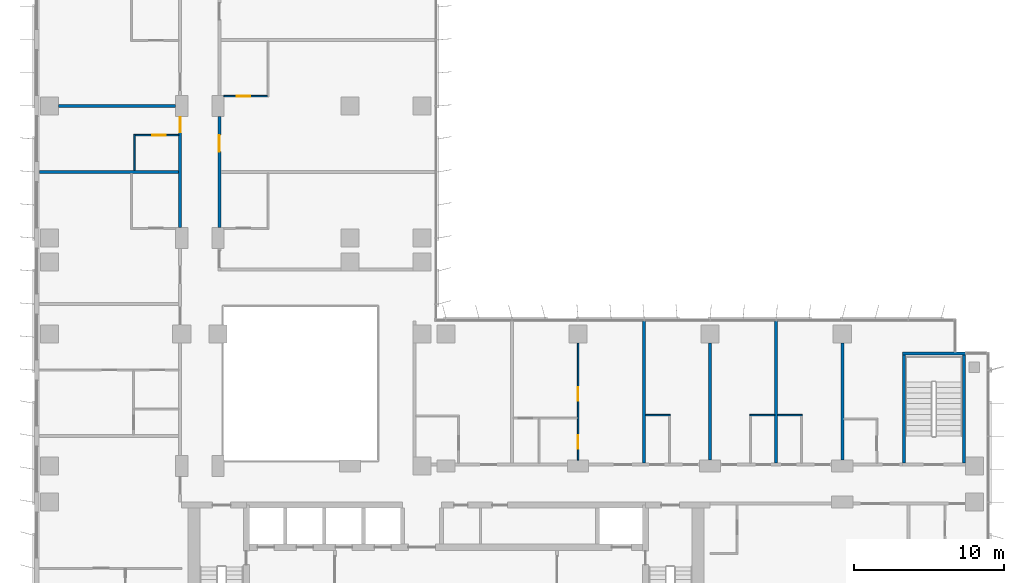
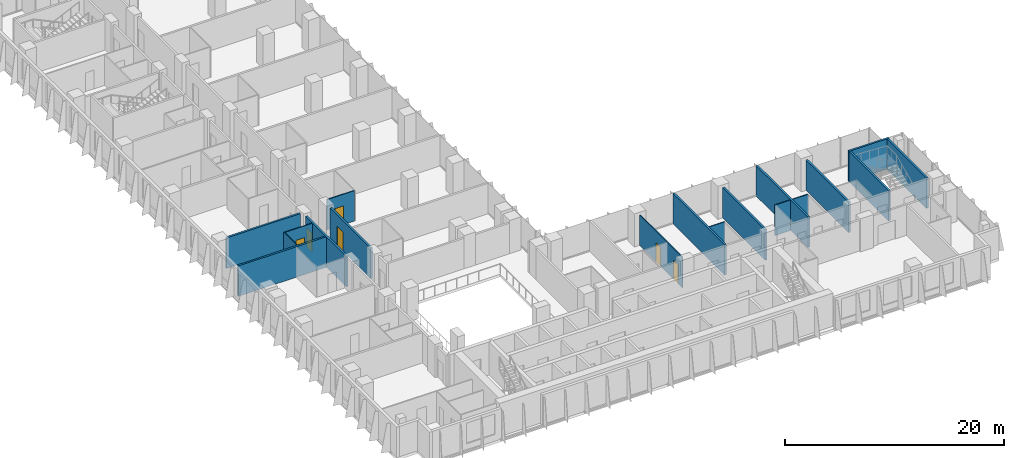
# One storey, part 15 of 22: 18 walls, 6 doors, 6 openings.
"""IFC4 building model written with IfcOpenShell, lengths in metres."""

from ifc_helpers import new_model, si_unit, direction, frame, frame_2d, origin, place, context, subcontext, project, spatial, rectangle, extrude, material, layer, layer_set, type_object, element, fill, save


model = new_model("IFC4")

# Units and contexts
model_context = context("Model", 3, precision=1e-05, world=origin(), true_north=direction((0.0, 1.0)))
body_context = subcontext(model_context, "Body", "Model", "MODEL_VIEW")
ifc_project = project(units=[si_unit("LENGTHUNIT", "METRE"), si_unit("AREAUNIT", "SQUARE_METRE"), si_unit("VOLUMEUNIT", "CUBIC_METRE"), si_unit("PLANEANGLEUNIT", "RADIAN"), si_unit("MASSUNIT", "GRAM", prefix="KILO")], contexts=[model_context])

# Site, building, storey
site_placement = place(None, origin())
site = spatial("IfcSite", under=ifc_project, at=site_placement, CompositionType="ELEMENT")
building_placement = place(site_placement, origin())
building = spatial("IfcBuilding", under=site, at=building_placement, Name="Kemantara Hotel Tower", CompositionType="ELEMENT")
storey_placement = place(building_placement, frame((0.0, 0.0, 145.699951171875)))
storey = spatial("IfcBuildingStorey", under=building, at=storey_placement, Name="L35", CompositionType="ELEMENT", Elevation=145.699951171875)

# Wall, opening, door
ifc_material_1 = material(Name="Gypsum board partition, steel studs and mineral wool, 200 mm", Category="steel")
ifc_layer_1 = layer(ifc_material_1, 0.199951171875)
ifc_layer_set_1 = layer_set([ifc_layer_1], Name="Gypsum board partition, steel studs and mineral wool, 200 mm")
wall_type_1 = type_object("IfcWallType", Name="CORRIDOR WALL 200", PredefinedType="PARTITIONING", material=ifc_layer_set_1)
wall_1_placement = place(storey_placement, frame((9.699951171875, 28.10009765625, 0.0), z_axis=(0.0, 0.0, 1.0), x_axis=(0.0, 1.0, 0.0)))
wall_1 = element("IfcWall", 1, at=wall_1_placement, inside=storey, type_object=wall_type_1, Name="CORRIDOR WALL 200 019", PredefinedType="PARTITIONING", context=body_context, shape_type="SweptSolid", body=[
    extrude(rectangle(XDim=7.39990234375, YDim=0.199951171875, at=frame_2d((3.699951171875, 0.0))), origin(), (0.0, 0.0, 1.0), 3.400146484375),
])
opening_1_placement = place(wall_1_placement, frame((6.349853515625, 0.0, 0.0)))
opening_1 = element("IfcOpeningElement", 2, at=opening_1_placement, cuts=wall_1, Name="Opening F16-029", PredefinedType="OPENING", context=body_context, shape_type="SweptSolid", body=[
    extrude(rectangle(XDim=1.0, YDim=2.10009765625, at=frame_2d((0.5, 1.050048828125))), frame((0.0, 0.10986328125, 0.0), z_axis=(0.0, -1.0, 0.0), x_axis=(1.0, 0.0, 0.0)), (0.0, 0.0, 1.0), 0.219970703125),
])
ifc_material_2 = material(Name="Hardwood veneer door leaf with steel frame", Category="steel")
door_type_1 = type_object("IfcDoorType", Name="GUEST ROOM DOOR 1000 X 2100 FD30S", OperationType="NOTDEFINED", PredefinedType="DOOR", material=ifc_material_2)
door_1_placement = place(opening_1_placement, origin())
door_1 = element("IfcDoor", 3, at=door_1_placement, inside=storey, type_object=door_type_1, Name="GUEST ROOM DOOR F16-029", OperationType="SINGLE_SWING_RIGHT", OverallHeight=2.10009765625, OverallWidth=1.0, PredefinedType="DOOR", context=body_context, shape_type="SweptSolid", body=[
    extrude(rectangle(XDim=1.0, YDim=2.10009765625, at=frame_2d((0.5, 1.050048828125))), frame((0.0, 0.02490234375, 0.0), z_axis=(0.0, -1.0, 0.0), x_axis=(1.0, 0.0, 0.0)), (0.0, 0.0, 1.0), 0.050048828125),
])
fill(opening_1, door_1)

wall_2_placement = place(storey_placement, frame((12.300048828125, 35.5, 0.0), z_axis=(0.0, 0.0, 1.0), x_axis=(0.0, -1.0, 0.0)))
wall_2 = element("IfcWall", 4, at=wall_2_placement, inside=storey, type_object=wall_type_1, Name="CORRIDOR WALL 200 033", PredefinedType="PARTITIONING", context=body_context, shape_type="SweptSolid", body=[
    extrude(rectangle(XDim=7.39990234375, YDim=0.199951171875, at=frame_2d((3.699951171875, 0.0))), origin(), (0.0, 0.0, 1.0), 3.400146484375),
])
opening_2_placement = place(wall_2_placement, frame((1.25, 0.0, 0.0)))
opening_2 = element("IfcOpeningElement", 5, at=opening_2_placement, cuts=wall_2, Name="Opening F16-047", PredefinedType="OPENING", context=body_context, shape_type="SweptSolid", body=[
    extrude(rectangle(XDim=1.10009765625, YDim=2.10009765625, at=frame_2d((0.550048828125, 1.050048828125))), frame((0.0, 0.10986328125, 0.0), z_axis=(0.0, -1.0, 0.0), x_axis=(1.0, 0.0, 0.0)), (0.0, 0.0, 1.0), 0.219970703125),
])
door_type_2 = type_object("IfcDoorType", Name="SUITE ENTRANCE DOOR 1100 X 2100 FD30S", OperationType="NOTDEFINED", PredefinedType="DOOR", material=ifc_material_2)
door_2_placement = place(opening_2_placement, origin())
door_2 = element("IfcDoor", 6, at=door_2_placement, inside=storey, type_object=door_type_2, Name="SUITE ENTRANCE DOOR F16-047", OperationType="SINGLE_SWING_RIGHT", OverallHeight=2.10009765625, OverallWidth=1.10009765625, PredefinedType="DOOR", context=body_context, shape_type="SweptSolid", body=[
    extrude(rectangle(XDim=1.10009765625, YDim=2.10009765625, at=frame_2d((0.550048828125, 1.050048828125))), frame((0.0, 0.02490234375, 0.0), z_axis=(0.0, -1.0, 0.0), x_axis=(1.0, 0.0, 0.0)), (0.0, 0.0, 1.0), 0.050048828125),
])
fill(opening_2, door_2)

# Walls
ifc_material_3 = material(Name="Concrete fc 40 MPa", Category="concrete")
ifc_layer_2 = layer(ifc_material_3, 0.199951171875)
ifc_layer_set_2 = layer_set([ifc_layer_2], Name="Concrete fc 40 MPa")
wall_type_2 = type_object("IfcWallType", Name="Concrete stair wall 200 mm", PredefinedType="SHEAR", material=ifc_layer_set_2)
wall_3_placement = place(storey_placement, frame((57.800048828125, 19.699951171875, 0.0), z_axis=(0.0, 0.0, 1.0), x_axis=(1.0, 0.0, 0.0)))
element("IfcWall", 7, at=wall_3_placement, inside=storey, type_object=wall_type_2, Name="Stair ST3 enclosure wall N", PredefinedType="SHEAR", context=body_context, shape_type="SweptSolid", body=[
    extrude(rectangle(XDim=4.199951171875, YDim=0.199951171875, at=frame_2d((2.10009765625, 0.0))), origin(), (0.0, 0.0, 1.0), 3.400146484375),
])
for number, where, z_axis, x_axis, name in (
    (8, (57.89990234375, 12.39990234375, 0.0), (0.0, 0.0, 1.0), (0.0, 1.0, 0.0), "Stair ST3 enclosure wall W"),
    (9, (61.89990234375, 12.39990234375, 0.0), (0.0, 0.0, 1.0), (0.0, 1.0, 0.0), "Stair ST3 enclosure wall E"),
):
    element("IfcWall", number, at=place(storey_placement, frame(where, z_axis=z_axis, x_axis=x_axis)), inside=storey, type_object=wall_type_2, Name=name, PredefinedType="SHEAR", context=body_context, shape_type="SweptSolid", body=[
        extrude(rectangle(XDim=7.2001953125, YDim=0.199951171875, at=frame_2d((3.60009765625, 0.0))), origin(), (0.0, 0.0, 1.0), 3.400146484375),
    ])
ifc_layer_3 = layer(ifc_material_1, 0.199951171875)
ifc_layer_set_3 = layer_set([ifc_layer_3], Name="Gypsum board partition, steel studs and mineral wool, 200 mm")
wall_type_3 = type_object("IfcWallType", Name="GUEST ROOM PARTY WALL 200", PredefinedType="PARTITIONING", material=ifc_layer_set_3)
wall_4_placement = place(storey_placement, frame((40.60009765625, 12.39990234375, 0.0), z_axis=(0.0, 0.0, 1.0), x_axis=(0.0, 1.0, 0.0)))
element("IfcWall", 10, at=wall_4_placement, inside=storey, type_object=wall_type_3, Name="GUEST ROOM PARTY WALL 200 012", PredefinedType="PARTITIONING", context=body_context, shape_type="SweptSolid", body=[
    extrude(rectangle(XDim=9.47021484375, YDim=0.199951171875, at=frame_2d((4.735107421875, 0.0))), origin(), (0.0, 0.0, 1.0), 3.400146484375),
])
wall_5_placement = place(storey_placement, frame((45.0, 12.60009765625, 0.0), z_axis=(0.0, 0.0, 1.0), x_axis=(0.0, 1.0, 0.0)))
element("IfcWall", 11, at=wall_5_placement, inside=storey, type_object=wall_type_3, Name="GUEST ROOM PARTY WALL 200 013", PredefinedType="PARTITIONING", context=body_context, shape_type="SweptSolid", body=[
    extrude(rectangle(XDim=7.7998046875, YDim=0.199951171875, at=frame_2d((3.89990234375, 0.0))), origin(), (0.0, 0.0, 1.0), 3.400146484375),
])
wall_6_placement = place(storey_placement, frame((49.39990234375, 12.39990234375, 0.0), z_axis=(0.0, 0.0, 1.0), x_axis=(0.0, 1.0, 0.0)))
element("IfcWall", 12, at=wall_6_placement, inside=storey, type_object=wall_type_3, Name="GUEST ROOM PARTY WALL 200 014", PredefinedType="PARTITIONING", context=body_context, shape_type="SweptSolid", body=[
    extrude(rectangle(XDim=9.47021484375, YDim=0.199951171875, at=frame_2d((4.735107421875, 0.0))), origin(), (0.0, 0.0, 1.0), 3.400146484375),
])
wall_7_placement = place(storey_placement, frame((53.800048828125, 12.60009765625, 0.0), z_axis=(0.0, 0.0, 1.0), x_axis=(0.0, 1.0, 0.0)))
element("IfcWall", 13, at=wall_7_placement, inside=storey, type_object=wall_type_3, Name="GUEST ROOM PARTY WALL 200 015", PredefinedType="PARTITIONING", context=body_context, shape_type="SweptSolid", body=[
    extrude(rectangle(XDim=7.7998046875, YDim=0.199951171875, at=frame_2d((3.89990234375, 0.0))), origin(), (0.0, 0.0, 1.0), 3.400146484375),
])
wall_8_placement = place(storey_placement, frame((0.31005859375, 31.800048828125, 0.0), z_axis=(0.0, 0.0, 1.0), x_axis=(1.0, 0.0, 0.0)))
element("IfcWall", 14, at=wall_8_placement, inside=storey, type_object=wall_type_3, Name="GUEST ROOM PARTY WALL 200 027", PredefinedType="PARTITIONING", context=body_context, shape_type="SweptSolid", body=[
    extrude(rectangle(XDim=9.2900390625, YDim=0.199951171875, at=frame_2d((4.64501953125, 0.0))), origin(), (0.0, 0.0, 1.0), 3.400146484375),
])
wall_9_placement = place(storey_placement, frame((1.60009765625, 36.199951171875, 0.0), z_axis=(0.0, 0.0, 1.0), x_axis=(1.0, 0.0, 0.0)))
element("IfcWall", 15, at=wall_9_placement, inside=storey, type_object=wall_type_3, Name="GUEST ROOM PARTY WALL 200 029", PredefinedType="PARTITIONING", context=body_context, shape_type="SweptSolid", body=[
    extrude(rectangle(XDim=7.7998046875, YDim=0.199951171875, at=frame_2d((3.89990234375, 0.0))), origin(), (0.0, 0.0, 1.0), 3.400146484375),
])

# Wall, openings, doors
ifc_material_4 = material(Name="Gypsum board partition on steel studs, 100 mm", Category="steel")
ifc_layer_4 = layer(ifc_material_4, 0.10009765625)
ifc_layer_set_4 = layer_set([ifc_layer_4], Name="Gypsum board partition on steel studs, 100 mm")
wall_type_4 = type_object("IfcWallType", Name="ROOM PARTITION 100", PredefinedType="PARTITIONING", material=ifc_layer_set_4)
wall_10_placement = place(storey_placement, frame((36.199951171875, 12.60009765625, 0.0), z_axis=(0.0, 0.0, 1.0), x_axis=(0.0, 1.0, 0.0)))
wall_10 = element("IfcWall", 16, at=wall_10_placement, inside=storey, type_object=wall_type_4, Name="ROOM PARTITION 100 052", PredefinedType="PARTITIONING", context=body_context, shape_type="SweptSolid", body=[
    extrude(rectangle(XDim=7.7998046875, YDim=0.10009765625, at=frame_2d((3.89990234375, 0.0))), origin(), (0.0, 0.0, 1.0), 3.400146484375),
])
opening_3_placement = place(wall_10_placement, frame((0.75, 0.0, 0.0)))
opening_3 = element("IfcOpeningElement", 17, at=opening_3_placement, cuts=wall_10, Name="Opening F16-008", PredefinedType="OPENING", context=body_context, shape_type="SweptSolid", body=[
    extrude(rectangle(XDim=0.89990234375, YDim=2.10009765625, at=frame_2d((0.449951171875, 1.050048828125))), frame((0.0, 0.06005859375, 0.0), z_axis=(0.0, -1.0, 0.0), x_axis=(1.0, 0.0, 0.0)), (0.0, 0.0, 1.0), 0.1201171875),
])
opening_4_placement = place(wall_10_placement, frame((3.949951171875, 0.0, 0.0)))
opening_4 = element("IfcOpeningElement", 18, at=opening_4_placement, cuts=wall_10, Name="Opening F16-009", PredefinedType="OPENING", context=body_context, shape_type="SweptSolid", body=[
    extrude(rectangle(XDim=0.89990234375, YDim=2.10009765625, at=frame_2d((0.449951171875, 1.050048828125))), frame((0.0, 0.06005859375, 0.0), z_axis=(0.0, -1.0, 0.0), x_axis=(1.0, 0.0, 0.0)), (0.0, 0.0, 1.0), 0.1201171875),
])
door_type_3 = type_object("IfcDoorType", Name="INTERNAL DOOR 900 X 2100", OperationType="NOTDEFINED", PredefinedType="DOOR", material=ifc_material_2)
door_3_placement = place(opening_4_placement, origin())
door_3 = element("IfcDoor", 19, at=door_3_placement, inside=storey, type_object=door_type_3, Name="INTERNAL DOOR F16-009", OperationType="SINGLE_SWING_LEFT", OverallHeight=2.10009765625, OverallWidth=0.89990234375, PredefinedType="DOOR", context=body_context, shape_type="SweptSolid", body=[
    extrude(rectangle(XDim=0.89990234375, YDim=2.10009765625, at=frame_2d((0.449951171875, 1.050048828125))), frame((0.0, 0.02490234375, 0.0), z_axis=(0.0, -1.0, 0.0), x_axis=(1.0, 0.0, 0.0)), (0.0, 0.0, 1.0), 0.050048828125),
])
fill(opening_4, door_3)
door_type_4 = type_object("IfcDoorType", Name="PANTRY DOOR 900 X 2100", OperationType="NOTDEFINED", PredefinedType="DOOR", material=ifc_material_2)
door_4_placement = place(opening_3_placement, frame((0.89990234375, 0.0, 0.0), z_axis=(0.0, 0.0, 1.0), x_axis=(-1.0, 0.0, 0.0)))
door_4 = element("IfcDoor", 20, at=door_4_placement, inside=storey, type_object=door_type_4, Name="PANTRY DOOR F16-008", OperationType="SINGLE_SWING_LEFT", OverallHeight=2.10009765625, OverallWidth=0.89990234375, PredefinedType="DOOR", context=body_context, shape_type="SweptSolid", body=[
    extrude(rectangle(XDim=0.89990234375, YDim=2.10009765625, at=frame_2d((0.449951171875, 1.050048828125))), frame((0.0, 0.02490234375, 0.0), z_axis=(0.0, -1.0, 0.0), x_axis=(1.0, 0.0, 0.0)), (0.0, 0.0, 1.0), 0.050048828125),
])
fill(opening_3, door_4)

# Walls
for number, where, z_axis, x_axis, name in (
    (21, (40.699951171875, 15.60009765625, 0.0), (0.0, 0.0, 1.0), (1.0, 0.0, 0.0), "ROOM PARTITION 100 054"),
    (22, (47.64990234375, 15.60009765625, 0.0), (0.0, 0.0, 1.0), (1.0, 0.0, 0.0), "ROOM PARTITION 100 055"),
):
    element("IfcWall", number, at=place(storey_placement, frame(where, z_axis=z_axis, x_axis=x_axis)), inside=storey, type_object=wall_type_4, Name=name, PredefinedType="PARTITIONING", context=body_context, shape_type="SweptSolid", body=[
        extrude(rectangle(XDim=1.650146484375, YDim=0.10009765625, at=frame_2d((0.8251953125, 0.0))), origin(), (0.0, 0.0, 1.0), 3.400146484375),
    ])
wall_11_placement = place(storey_placement, frame((49.5, 15.60009765625, 0.0), z_axis=(0.0, 0.0, 1.0), x_axis=(1.0, 0.0, 0.0)))
element("IfcWall", 23, at=wall_11_placement, inside=storey, type_object=wall_type_4, Name="ROOM PARTITION 100 056", PredefinedType="PARTITIONING", context=body_context, shape_type="SweptSolid", body=[
    extrude(rectangle(XDim=1.64990234375, YDim=0.10009765625, at=frame_2d((0.824951171875, 0.0))), origin(), (0.0, 0.0, 1.0), 3.400146484375),
])
wall_12_placement = place(storey_placement, frame((6.64990234375, 31.89990234375, 0.0), z_axis=(0.0, 0.0, 1.0), x_axis=(0.0, 1.0, 0.0)))
element("IfcWall", 24, at=wall_12_placement, inside=storey, type_object=wall_type_4, Name="ROOM PARTITION 100 076", PredefinedType="PARTITIONING", context=body_context, shape_type="SweptSolid", body=[
    extrude(rectangle(XDim=2.400146484375, YDim=0.10009765625, at=frame_2d((1.2001953125, 0.0))), origin(), (0.0, 0.0, 1.0), 3.400146484375),
])

# Wall, opening, door
wall_13_placement = place(storey_placement, frame((9.60009765625, 34.25, 0.0), z_axis=(0.0, 0.0, 1.0), x_axis=(-1.0, 0.0, 0.0)))
wall_13 = element("IfcWall", 25, at=wall_13_placement, inside=storey, type_object=wall_type_4, Name="ROOM PARTITION 100 078", PredefinedType="PARTITIONING", context=body_context, shape_type="SweptSolid", body=[
    extrude(rectangle(XDim=2.900146484375, YDim=0.10009765625, at=frame_2d((1.4501953125, 0.0))), origin(), (0.0, 0.0, 1.0), 3.400146484375),
])
opening_5_placement = place(wall_13_placement, frame((0.85009765625, 0.0, 0.0)))
opening_5 = element("IfcOpeningElement", 26, at=opening_5_placement, cuts=wall_13, Name="Opening F16-030", PredefinedType="OPENING", context=body_context, shape_type="SweptSolid", body=[
    extrude(rectangle(XDim=0.89990234375, YDim=2.10009765625, at=frame_2d((0.449951171875, 1.050048828125))), frame((0.0, 0.06005859375, 0.0), z_axis=(0.0, -1.0, 0.0), x_axis=(1.0, 0.0, 0.0)), (0.0, 0.0, 1.0), 0.1201171875),
])
door_type_5 = type_object("IfcDoorType", Name="BATHROOM DOOR 900 X 2100", OperationType="NOTDEFINED", PredefinedType="DOOR", material=ifc_material_2)
door_5_placement = place(opening_5_placement, origin())
door_5 = element("IfcDoor", 27, at=door_5_placement, inside=storey, type_object=door_type_5, Name="BATHROOM DOOR F16-030", OperationType="SINGLE_SWING_LEFT", OverallHeight=2.10009765625, OverallWidth=0.89990234375, PredefinedType="DOOR", context=body_context, shape_type="SweptSolid", body=[
    extrude(rectangle(XDim=0.89990234375, YDim=2.10009765625, at=frame_2d((0.449951171875, 1.050048828125))), frame((0.0, 0.02490234375, 0.0), z_axis=(0.0, -1.0, 0.0), x_axis=(1.0, 0.0, 0.0)), (0.0, 0.0, 1.0), 0.050048828125),
])
fill(opening_5, door_5)

wall_14_placement = place(storey_placement, frame((12.60009765625, 36.85009765625, 0.0), z_axis=(0.0, 0.0, 1.0), x_axis=(1.0, 0.0, 0.0)))
wall_14 = element("IfcWall", 28, at=wall_14_placement, inside=storey, type_object=wall_type_4, Name="ROOM PARTITION 100 092", PredefinedType="PARTITIONING", context=body_context, shape_type="SweptSolid", body=[
    extrude(rectangle(XDim=2.89990234375, YDim=0.10009765625, at=frame_2d((1.449951171875, 0.0))), origin(), (0.0, 0.0, 1.0), 3.400146484375),
])
opening_6_placement = place(wall_14_placement, frame((0.849853515625, 0.0, 0.0)))
opening_6 = element("IfcOpeningElement", 29, at=opening_6_placement, cuts=wall_14, Name="Opening F16-048", PredefinedType="OPENING", context=body_context, shape_type="SweptSolid", body=[
    extrude(rectangle(XDim=0.89990234375, YDim=2.10009765625, at=frame_2d((0.449951171875, 1.050048828125))), frame((0.0, 0.06005859375, 0.0), z_axis=(0.0, -1.0, 0.0), x_axis=(1.0, 0.0, 0.0)), (0.0, 0.0, 1.0), 0.1201171875),
])
door_6_placement = place(opening_6_placement, origin())
door_6 = element("IfcDoor", 30, at=door_6_placement, inside=storey, type_object=door_type_5, Name="BATHROOM DOOR F16-048", OperationType="SINGLE_SWING_LEFT", OverallHeight=2.10009765625, OverallWidth=0.89990234375, PredefinedType="DOOR", context=body_context, shape_type="SweptSolid", body=[
    extrude(rectangle(XDim=0.89990234375, YDim=2.10009765625, at=frame_2d((0.449951171875, 1.050048828125))), frame((0.0, 0.02490234375, 0.0), z_axis=(0.0, -1.0, 0.0), x_axis=(1.0, 0.0, 0.0)), (0.0, 0.0, 1.0), 0.050048828125),
])
fill(opening_6, door_6)

save(model, "model.ifc")
